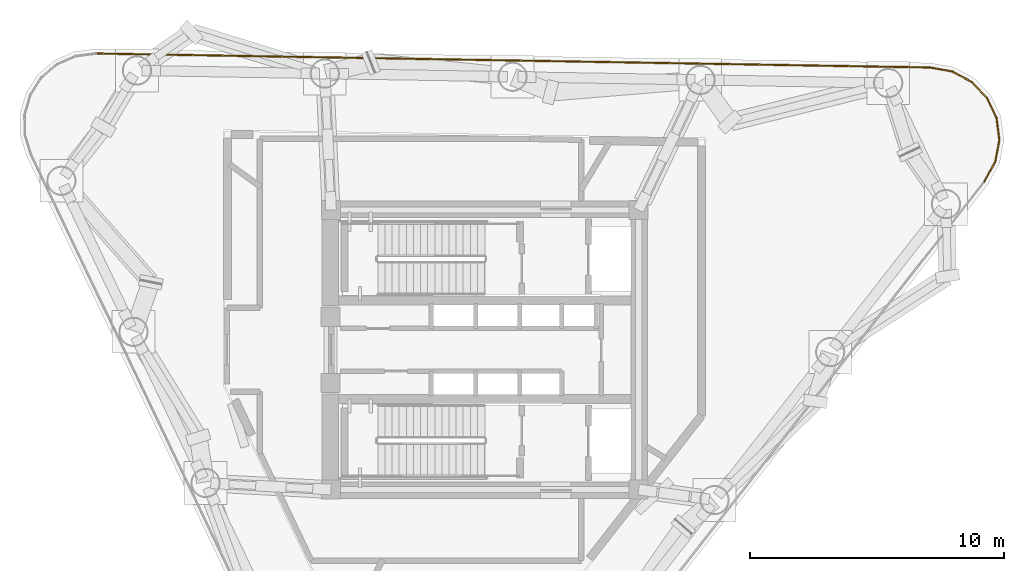
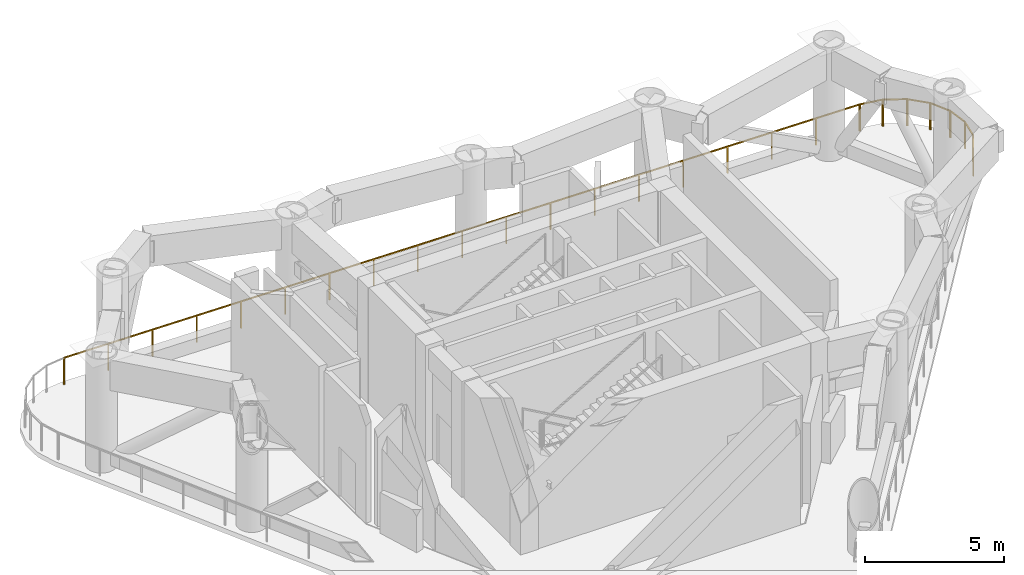
# One storey, part 8 of 8: 8 railings.
"""IFC4 building model written with IfcOpenShell, lengths in metres."""

import ifcopenshell
import ifcopenshell.guid

model = None  # the IFC model being written
_history = None  # IfcOwnerHistory: only IFC2X3 demands one
_inside = {}  # id of a spatial element -> (the spatial element, [elements in it])
_under = {}  # id of a project, library or spatial element -> (it, [spatial elements below it])
_declared = {}  # id of a project -> (the project, [libraries it declares])
_typed = {}  # id of a type object -> (the type object, [elements of that type])
_made_of = {}  # id of a material, layer set ... -> (it, [elements and type objects made of it])


def new_model(schema):
    """Start an empty IFC model of exactly this schema.

    Asked for "IFC4X3", IfcOpenShell would pick the latest addendum, in which some entities
    have other attributes; the version numbers below select the first issue.
    IFC2X3 requires an IfcOwnerHistory on every rooted entity: one is made here for all.
    """
    global model, _history
    if schema == "IFC4X3":
        model = ifcopenshell.file(schema_version=(4, 3, 0, 0))
    else:
        model = ifcopenshell.file(schema=schema)
    _inside.clear()
    _under.clear()
    _declared.clear()
    _typed.clear()
    _made_of.clear()
    _history = None
    if model.schema == "IFC2X3":
        org = make("IfcOrganization", Name="unknown")
        user = make(
            "IfcPersonAndOrganization",
            ThePerson=make("IfcPerson", FamilyName="unknown"),
            TheOrganization=org,
        )
        app = make(
            "IfcApplication",
            ApplicationDeveloper=org,
            Version="unknown",
            ApplicationFullName="unknown",
            ApplicationIdentifier="unknown",
        )
        _history = make(
            "IfcOwnerHistory",
            OwningUser=user,
            OwningApplication=app,
            ChangeAction="ADDED",
            CreationDate=0,
        )
    return model


def make(cls, **values):
    """One entity of the class cls with the attributes given. An attribute that is None is left unset."""
    return model.create_entity(
        cls, **{name: value for name, value in values.items() if value is not None}
    )


def rooted(cls, **values):
    """An entity with a GlobalId (a new one), such as an element, a storey or a relation."""
    return make(cls, GlobalId=ifcopenshell.guid.new(), OwnerHistory=_history, **values)


def si_unit(unit_type, name, prefix=None):
    """IfcSIUnit, for example si_unit("LENGTHUNIT", "METRE", prefix="MILLI")."""
    return make("IfcSIUnit", UnitType=unit_type, Prefix=prefix, Name=name)


def assignment(units):
    """IfcUnitAssignment: the units of a project."""
    return None if units is None else make("IfcUnitAssignment", Units=units)


def point(xyz):
    """IfcCartesianPoint."""
    return None if xyz is None else make("IfcCartesianPoint", Coordinates=xyz)


def direction(xyz):
    """IfcDirection."""
    return None if xyz is None else make("IfcDirection", DirectionRatios=xyz)


def frame(location, z_axis=None, x_axis=None):
    """IfcAxis2Placement3D, a coordinate frame: its origin and axes. An axis left out is left unset."""
    return make(
        "IfcAxis2Placement3D",
        Location=point(location),
        Axis=direction(z_axis),
        RefDirection=direction(x_axis),
    )


def frame_2d(location, x_axis=None):
    """IfcAxis2Placement2D, a coordinate frame in the plane: its origin and x axis."""
    return make(
        "IfcAxis2Placement2D", Location=point(location), RefDirection=direction(x_axis)
    )


def origin():
    """The frame at (0, 0, 0) with its axes left unset."""
    return frame((0.0, 0.0, 0.0))


def origin_2d():
    """The frame at (0, 0) in the plane with its x axis left unset."""
    return frame_2d((0.0, 0.0))


def place(relative_to, where):
    """IfcLocalPlacement: puts the frame where relative to a parent placement (None: the world)."""
    return make(
        "IfcLocalPlacement", PlacementRelTo=relative_to, RelativePlacement=where
    )


def context(
    kind, dimensions, precision=None, world=None, true_north=None, identifier=None
):
    """IfcGeometricRepresentationContext, for example the 3D "Model" context."""
    return make(
        "IfcGeometricRepresentationContext",
        ContextIdentifier=identifier,
        ContextType=kind,
        CoordinateSpaceDimension=dimensions,
        Precision=precision,
        WorldCoordinateSystem=world,
        TrueNorth=true_north,
    )


def subcontext(parent, identifier, kind, view, scale=None):
    """IfcGeometricRepresentationSubContext, for example "Body" below "Model"."""
    return make(
        "IfcGeometricRepresentationSubContext",
        ContextIdentifier=identifier,
        ContextType=kind,
        ParentContext=parent,
        TargetScale=scale,
        TargetView=view,
    )


def project(units=None, contexts=None):
    """IfcProject with its units and contexts."""
    return rooted(
        "IfcProject",
        Name="project",
        RepresentationContexts=contexts,
        UnitsInContext=assignment(units),
    )


def spatial(cls, under=None, at=None, **own):
    """A site, building, storey or space (cls), placed at a placement, below another one or the project."""
    s = rooted(cls, ObjectPlacement=at, **own)
    if under is not None:
        _under.setdefault(under.id(), (under, []))[1].append(s)
    return s


def profile(cls, at=None, kind="AREA", **sizes):
    """A parametric profile (cls). Its sizes go by their IFC names, for example OverallWidth=200.0."""
    return make(cls, ProfileType=kind, Position=at, **sizes)


def rectangle(**sizes):
    """IfcRectangleProfileDef."""
    return profile("IfcRectangleProfileDef", **sizes)


def extrude(swept, where, along, depth):
    """IfcExtrudedAreaSolid: the profile swept, set in the frame where, extruded along a direction by depth."""
    return make(
        "IfcExtrudedAreaSolid",
        SweptArea=swept,
        Position=where,
        ExtrudedDirection=direction(along),
        Depth=depth,
    )


def shape(context_of_items, identifier, shape_type, items):
    """IfcShapeRepresentation: the items that make up one representation, for example the "Body"."""
    return make(
        "IfcShapeRepresentation",
        ContextOfItems=context_of_items,
        RepresentationIdentifier=identifier,
        RepresentationType=shape_type,
        Items=items,
    )


def material(Name=None, Category=None):
    """IfcMaterial."""
    return make("IfcMaterial", Name=Name, Category=Category)


def made_of(thing, what):
    """Note that an element or type object is made of a material, layer set ...; save() writes the relation."""
    if what is not None:
        _made_of.setdefault(what.id(), (what, []))[1].append(thing)
    return thing


def type_object(cls, material=None, **own):
    """A type object (cls), such as IfcWallType, which elements share."""
    return made_of(rooted(cls, **own), material)


def element(
    cls,
    number,
    at=None,
    inside=None,
    cuts=None,
    type_object=None,
    material=None,
    context=None,
    identifier="Body",
    shape_type=None,
    held_by="IfcProductDefinitionShape",
    body=None,
    shapes=None,
    **own,
):
    """One element of the class cls, such as IfcWall. Its Tag is "e" and its number.

    at: its placement. inside: the storey or other place that contains it. cuts: it is an
    opening in that element (IfcRelVoidsElement). A single representation is given by context,
    identifier, shape_type and body (its items); several are given by shapes. held_by: the class
    of the entity that holds the representations. save() writes the other relations.
    """
    e = rooted(cls, Tag="e%d" % number, ObjectPlacement=at, **own)
    if body is not None:
        shapes = [shape(context, identifier, shape_type, body)]
    if shapes is not None:
        e.Representation = make(held_by, Representations=shapes)
    if inside is not None:
        _inside.setdefault(inside.id(), (inside, []))[1].append(e)
    if cuts is not None:
        rooted(
            "IfcRelVoidsElement", RelatingBuildingElement=cuts, RelatedOpeningElement=e
        )
    if type_object is not None:
        _typed.setdefault(type_object.id(), (type_object, []))[1].append(e)
    return made_of(e, material)


def aggregate(whole, parts):
    """IfcRelAggregates: a whole, such as a stair, and the parts it consists of."""
    return rooted("IfcRelAggregates", RelatingObject=whole, RelatedObjects=parts)


def save(model, path):
    """Write the relations noted so far, then the file.

    IfcRelAggregates (storeys below a building ...), IfcRelContainedInSpatialStructure (elements
    in a storey), IfcRelDefinesByType, IfcRelAssociatesMaterial and IfcRelDeclares: one each for
    every whole, place, type object, material and project.
    """
    for whole, parts in _under.values():
        aggregate(whole, parts)
    for where, things in _inside.values():
        rooted(
            "IfcRelContainedInSpatialStructure",
            RelatedElements=things,
            RelatingStructure=where,
        )
    for kind, things in _typed.values():
        rooted("IfcRelDefinesByType", RelatedObjects=things, RelatingType=kind)
    for what, things in _made_of.values():
        rooted("IfcRelAssociatesMaterial", RelatedObjects=things, RelatingMaterial=what)
    for by, libraries in _declared.values():
        rooted("IfcRelDeclares", RelatingContext=by, RelatedDefinitions=libraries)
    model.write(path)


model = new_model("IFC4")

# Units and contexts
model_context = context("Model", 3, precision=1e-05, world=origin(), true_north=direction((0.0, 1.0)))
body_context = subcontext(model_context, "Body", "Model", "MODEL_VIEW")
ifc_project = project(units=[si_unit("LENGTHUNIT", "METRE"), si_unit("AREAUNIT", "SQUARE_METRE"), si_unit("VOLUMEUNIT", "CUBIC_METRE"), si_unit("PLANEANGLEUNIT", "RADIAN"), si_unit("MASSUNIT", "GRAM", prefix="KILO")], contexts=[model_context])

# Site, building, storey
site_placement = place(None, origin())
site = spatial("IfcSite", under=ifc_project, at=site_placement, CompositionType="ELEMENT")
building_placement = place(site_placement, origin())
building = spatial("IfcBuilding", under=site, at=building_placement, Name="Yunling Apex Tower", CompositionType="ELEMENT")
storey_placement = place(building_placement, frame((0.0, 0.0, 219.050048828125)))
storey = spatial("IfcBuildingStorey", under=building, at=storey_placement, Name="RF6", CompositionType="ELEMENT", Elevation=219.050048828125)

# Railings
ifc_material = material(Name="Bronze anodised aluminium", Category="aluminium")
railing_type = type_object("IfcRailingType", Name="RL-BAL-1200", PredefinedType="BALUSTRADE", material=ifc_material)
railing_1_placement = place(storey_placement, frame((-15.321044921875, 11.656982421875, 0.0)))
element("IfcRailing", 1, at=railing_1_placement, inside=storey, type_object=railing_type, Name="RL-REF-RF6-09", PredefinedType="BALUSTRADE", context=body_context, shape_type="SweptSolid", body=[
    extrude(rectangle(XDim=0.0439453125, YDim=0.0439453125, at=origin_2d()), origin(), (0.0, 0.0, 1.0), 1.199951171875),
    extrude(rectangle(XDim=0.0439453125, YDim=0.0439453125, at=origin_2d()), frame((32.846435546875, -0.55078125, 0.0)), (0.0, 0.0, 1.0), 1.199951171875),
    extrude(rectangle(XDim=0.050048828125, YDim=0.050048828125, at=origin_2d()), frame((0.038330078125, -0.000732421875, 1.1748046875), z_axis=(0.999859440491, -0.016766015042, 0.0), x_axis=(0.016766015042, 0.999859440491, 0.0)), (0.0, 0.0, 1.0), 32.7744140625),
    extrude(rectangle(XDim=0.0439453125, YDim=0.0439453125, at=origin_2d()), frame((1.82470703125, -0.030517578125, 0.0)), (0.0, 0.0, 1.0), 1.14599609375),
    extrude(rectangle(XDim=0.0439453125, YDim=0.0439453125, at=origin_2d()), frame((3.649658203125, -0.061279296875, 0.0)), (0.0, 0.0, 1.0), 1.14599609375),
    extrude(rectangle(XDim=0.0439453125, YDim=0.0439453125, at=origin_2d()), frame((5.474365234375, -0.091796875, 0.0)), (0.0, 0.0, 1.0), 1.14599609375),
    extrude(rectangle(XDim=0.0439453125, YDim=0.0439453125, at=origin_2d()), frame((7.29931640625, -0.122314453125, 0.0)), (0.0, 0.0, 1.0), 1.14599609375),
    extrude(rectangle(XDim=0.0439453125, YDim=0.0439453125, at=origin_2d()), frame((9.1240234375, -0.153076171875, 0.0)), (0.0, 0.0, 1.0), 1.14599609375),
    extrude(rectangle(XDim=0.0439453125, YDim=0.0439453125, at=origin_2d()), frame((10.94873046875, -0.18359375, 0.0)), (0.0, 0.0, 1.0), 1.14599609375),
    extrude(rectangle(XDim=0.0439453125, YDim=0.0439453125, at=origin_2d()), frame((12.773681640625, -0.214111328125, 0.0)), (0.0, 0.0, 1.0), 1.14599609375),
    extrude(rectangle(XDim=0.0439453125, YDim=0.0439453125, at=origin_2d()), frame((14.598388671875, -0.244873046875, 0.0)), (0.0, 0.0, 1.0), 1.14599609375),
    extrude(rectangle(XDim=0.0439453125, YDim=0.0439453125, at=origin_2d()), frame((16.42333984375, -0.275390625, 0.0)), (0.0, 0.0, 1.0), 1.14599609375),
    extrude(rectangle(XDim=0.0439453125, YDim=0.0439453125, at=origin_2d()), frame((18.248046875, -0.305908203125, 0.0)), (0.0, 0.0, 1.0), 1.14599609375),
    extrude(rectangle(XDim=0.0439453125, YDim=0.0439453125, at=origin_2d()), frame((20.07275390625, -0.336669921875, 0.0)), (0.0, 0.0, 1.0), 1.14599609375),
    extrude(rectangle(XDim=0.0439453125, YDim=0.0439453125, at=origin_2d()), frame((21.897705078125, -0.3671875, 0.0)), (0.0, 0.0, 1.0), 1.14599609375),
    extrude(rectangle(XDim=0.0439453125, YDim=0.0439453125, at=origin_2d()), frame((23.722412109375, -0.397705078125, 0.0)), (0.0, 0.0, 1.0), 1.14599609375),
    extrude(rectangle(XDim=0.0439453125, YDim=0.0439453125, at=origin_2d()), frame((25.547119140625, -0.428466796875, 0.0)), (0.0, 0.0, 1.0), 1.14599609375),
    extrude(rectangle(XDim=0.0439453125, YDim=0.0439453125, at=origin_2d()), frame((27.3720703125, -0.458984375, 0.0)), (0.0, 0.0, 1.0), 1.14599609375),
    extrude(rectangle(XDim=0.0439453125, YDim=0.0439453125, at=origin_2d()), frame((29.19677734375, -0.489501953125, 0.0)), (0.0, 0.0, 1.0), 1.14599609375),
    extrude(rectangle(XDim=0.0439453125, YDim=0.0439453125, at=origin_2d()), frame((31.021728515625, -0.520263671875, 0.0)), (0.0, 0.0, 1.0), 1.14599609375),
])
railing_2_placement = place(storey_placement, frame((17.49560546875, 11.109130859375, 0.0)))
element("IfcRailing", 2, at=railing_2_placement, inside=storey, type_object=railing_type, Name="RL-REF-RF6-10", PredefinedType="BALUSTRADE", context=body_context, shape_type="SweptSolid", body=[
    extrude(rectangle(XDim=0.0439453125, YDim=0.0439453125, at=origin_2d()), origin(), (0.0, 0.0, 1.0), 1.199951171875),
    extrude(rectangle(XDim=0.0439453125, YDim=0.0439453125, at=origin_2d()), frame((0.90380859375, -0.159912109375, 0.0)), (0.0, 0.0, 1.0), 1.199951171875),
    extrude(rectangle(XDim=0.050048828125, YDim=0.050048828125, at=origin_2d()), frame((0.037841796875, -0.006591796875, 1.1748046875), z_axis=(0.984705804848, -0.174225365255, 0.0), x_axis=(0.174225365255, 0.984705804848, 0.0)), (0.0, 0.0, 1.0), 0.841064453125),
])
railing_3_placement = place(storey_placement, frame((18.371337890625, 10.958984375, 0.0)))
element("IfcRailing", 3, at=railing_3_placement, inside=storey, type_object=railing_type, Name="RL-REF-RF6-11", PredefinedType="BALUSTRADE", context=body_context, shape_type="SweptSolid", body=[
    extrude(rectangle(XDim=0.0439453125, YDim=0.0439453125, at=origin_2d()), origin(), (0.0, 0.0, 1.0), 1.199951171875),
    extrude(rectangle(XDim=0.0439453125, YDim=0.0439453125, at=origin_2d()), frame((0.796142578125, -0.4267578125, 0.0)), (0.0, 0.0, 1.0), 1.199951171875),
    extrude(rectangle(XDim=0.050048828125, YDim=0.050048828125, at=origin_2d()), frame((0.03369140625, -0.01806640625, 1.1748046875), z_axis=(0.881363422701, -0.472438903061, 0.0), x_axis=(0.472438903061, 0.881363422701, 0.0)), (0.0, 0.0, 1.0), 0.82666015625),
])
railing_4_placement = place(storey_placement, frame((19.14404296875, 10.550048828125, 0.0)))
element("IfcRailing", 4, at=railing_4_placement, inside=storey, type_object=railing_type, Name="RL-REF-RF6-12", PredefinedType="BALUSTRADE", context=body_context, shape_type="SweptSolid", body=[
    extrude(rectangle(XDim=0.0439453125, YDim=0.0439453125, at=origin_2d()), origin(), (0.0, 0.0, 1.0), 1.199951171875),
    extrude(rectangle(XDim=0.0439453125, YDim=0.0439453125, at=origin_2d()), frame((0.62353515625, -0.653564453125, 0.0)), (0.0, 0.0, 1.0), 1.199951171875),
    extrude(rectangle(XDim=0.050048828125, YDim=0.050048828125, at=origin_2d()), frame((0.0263671875, -0.02783203125, 1.1748046875), z_axis=(0.690289305172, -0.723533465131, 0.0), x_axis=(0.723533465131, 0.690289305172, 0.0)), (0.0, 0.0, 1.0), 0.82666015625),
])
railing_5_placement = place(storey_placement, frame((19.750732421875, 9.9208984375, 0.0)))
element("IfcRailing", 5, at=railing_5_placement, inside=storey, type_object=railing_type, Name="RL-REF-RF6-13", PredefinedType="BALUSTRADE", context=body_context, shape_type="SweptSolid", body=[
    extrude(rectangle(XDim=0.0439453125, YDim=0.0439453125, at=origin_2d()), origin(), (0.0, 0.0, 1.0), 1.199951171875),
    extrude(rectangle(XDim=0.0439453125, YDim=0.0439453125, at=origin_2d()), frame((0.388671875, -0.815185546875, 0.0)), (0.0, 0.0, 1.0), 1.199951171875),
    extrude(rectangle(XDim=0.050048828125, YDim=0.050048828125, at=origin_2d()), frame((0.0166015625, -0.03466796875, 1.1748046875), z_axis=(0.43037426113, -0.902650538889, 0.0), x_axis=(0.902650538889, 0.43037426113, 0.0)), (0.0, 0.0, 1.0), 0.826416015625),
])
railing_6_placement = place(storey_placement, frame((20.131103515625, 9.134033203125, 0.0)))
element("IfcRailing", 6, at=railing_6_placement, inside=storey, type_object=railing_type, Name="RL-REF-RF6-14", PredefinedType="BALUSTRADE", context=body_context, shape_type="SweptSolid", body=[
    extrude(rectangle(XDim=0.0439453125, YDim=0.0439453125, at=origin_2d()), origin(), (0.0, 0.0, 1.0), 1.199951171875),
    extrude(rectangle(XDim=0.0439453125, YDim=0.0439453125, at=origin_2d()), frame((0.115478515625, -0.895751953125, 0.0)), (0.0, 0.0, 1.0), 1.199951171875),
    extrude(rectangle(XDim=0.050048828125, YDim=0.050048828125, at=origin_2d()), frame((0.0048828125, -0.0380859375, 1.1748046875), z_axis=(0.12785983461, -0.991792247748, 0.0), x_axis=(0.991792247748, 0.12785983461, 0.0)), (0.0, 0.0, 1.0), 0.826416015625),
])
railing_7_placement = place(storey_placement, frame((20.24755859375, 8.267822265625, 0.0)))
element("IfcRailing", 7, at=railing_7_placement, inside=storey, type_object=railing_type, Name="RL-REF-RF6-15", PredefinedType="BALUSTRADE", context=body_context, shape_type="SweptSolid", body=[
    extrude(rectangle(XDim=0.0439453125, YDim=0.0439453125, at=origin_2d()), origin(), (0.0, 0.0, 1.0), 1.199951171875),
    extrude(rectangle(XDim=0.0439453125, YDim=0.0439453125, at=origin_2d()), frame((-0.16943359375, -0.88720703125, 0.0)), (0.0, 0.0, 1.0), 1.199951171875),
    extrude(rectangle(XDim=0.050048828125, YDim=0.050048828125, at=origin_2d()), frame((-0.007080078125, -0.03759765625, 1.1748046875), z_axis=(-0.187584065825, -0.982248552174, 0.0), x_axis=(0.982248552174, -0.187584065825, 0.0)), (0.0, 0.0, 1.0), 0.82666015625),
])
railing_8_placement = place(storey_placement, frame((20.08837890625, 7.408447265625, 0.0)))
element("IfcRailing", 8, at=railing_8_placement, inside=storey, type_object=railing_type, Name="RL-REF-RF6-16", PredefinedType="BALUSTRADE", context=body_context, shape_type="SweptSolid", body=[
    extrude(rectangle(XDim=0.0439453125, YDim=0.0439453125, at=origin_2d()), origin(), (0.0, 0.0, 1.0), 1.199951171875),
    extrude(rectangle(XDim=0.0439453125, YDim=0.0439453125, at=origin_2d()), frame((-0.444580078125, -0.802978515625, 0.0)), (0.0, 0.0, 1.0), 1.199951171875),
    extrude(rectangle(XDim=0.050048828125, YDim=0.050048828125, at=origin_2d()), frame((-0.0185546875, -0.033447265625, 1.1748046875), z_axis=(-0.484377689876, -0.874858990666, 0.0), x_axis=(0.874858990666, -0.484377689876, 0.0)), (0.0, 0.0, 1.0), 0.841064453125),
])

save(model, "model.ifc")
